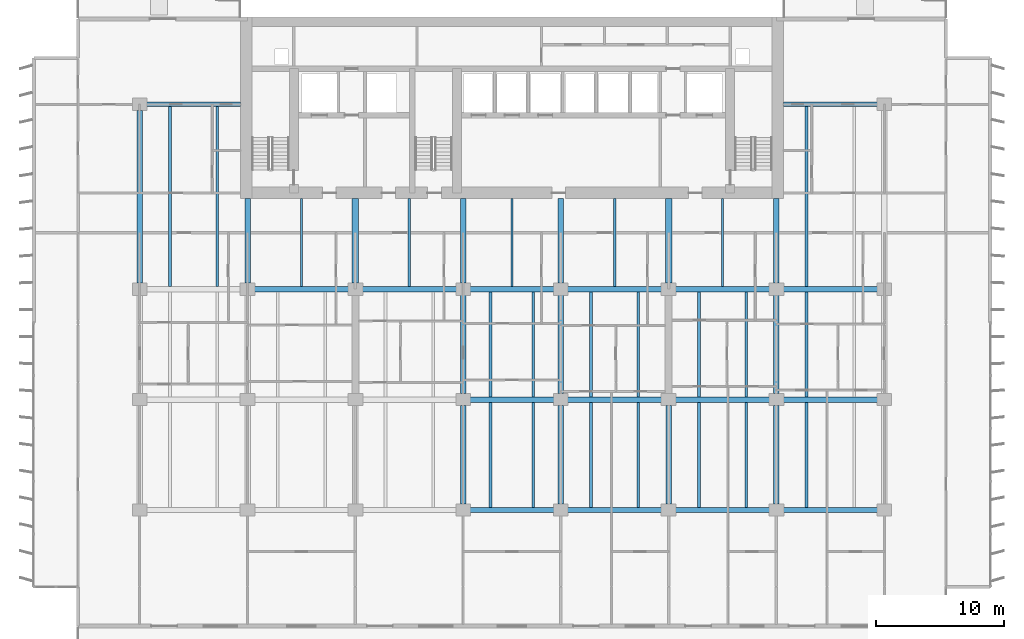
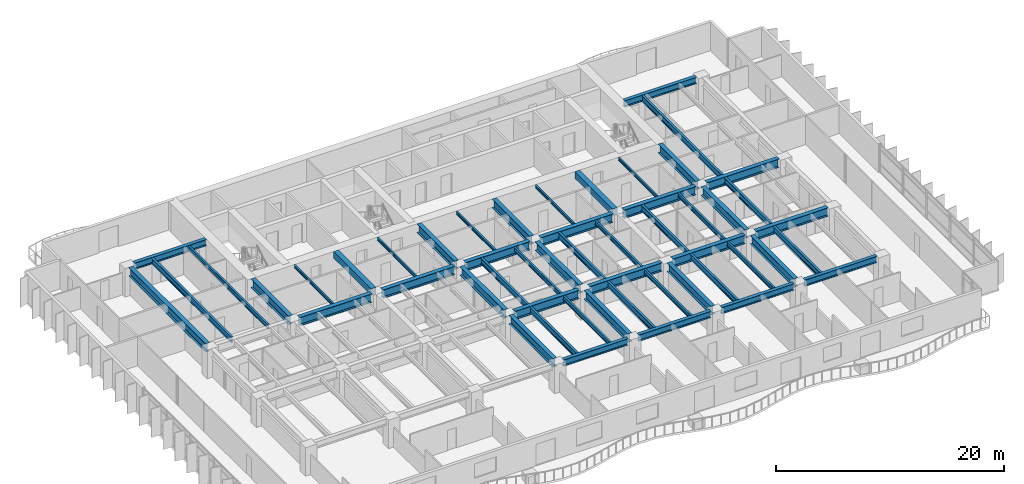
# One storey, part 3 of 18: 52 beams.
"""IFC4 building model written with IfcOpenShell, lengths in metres."""

from ifc_helpers import new_model, si_unit, direction, frame, origin, origin_2d, place, context, subcontext, project, spatial, rectangle, i_section, extrude, material, material_profile, profile_set, type_object, element, save


model = new_model("IFC4")

# Units and contexts
model_context = context("Model", 3, precision=1e-05, world=origin(), true_north=direction((0.0, 1.0)))
body_context = subcontext(model_context, "Body", "Model", "MODEL_VIEW")
ifc_project = project(units=[si_unit("LENGTHUNIT", "METRE"), si_unit("AREAUNIT", "SQUARE_METRE"), si_unit("VOLUMEUNIT", "CUBIC_METRE"), si_unit("PLANEANGLEUNIT", "RADIAN"), si_unit("MASSUNIT", "GRAM", prefix="KILO")], contexts=[model_context])

# Site, building, storey
site_placement = place(None, origin())
site = spatial("IfcSite", under=ifc_project, at=site_placement, CompositionType="ELEMENT")
building_placement = place(site_placement, origin())
building = spatial("IfcBuilding", under=site, at=building_placement, Name="Caelmar Bay Residences", CompositionType="ELEMENT")
storey_placement = place(building_placement, frame((0.0, 0.0, 56.39990234375)))
storey = spatial("IfcBuildingStorey", under=building, at=storey_placement, Name="L14", CompositionType="ELEMENT", Elevation=56.39990234375)

# Beams
ifc_material_1 = material(Name="Steel ASTM A992 Grade 50", Category="steel")
ifc_material_profile_1 = material_profile(ifc_material_1, i_section(OverallWidth=0.422119140625, OverallDepth=0.925048828125, WebThickness=0.021240234375, FlangeThickness=0.03662109375, FilletRadius=0.020263671875, at=origin_2d()), Name="W36X262")
ifc_profile_set_1 = profile_set([ifc_material_profile_1], Name="Steel ASTM A992 Grade 50")
beam_type_1 = type_object("IfcBeamType", Name="BM-GRD-W36X262", PredefinedType="BEAM", material=ifc_profile_set_1)
beam_1_placement = place(storey_placement, frame((35.639892578125, 20.800048828125, 2.587646484375), z_axis=(1.0, 0.0, 0.0), x_axis=(0.0, 1.0, 0.0)))
element("IfcBeam", 1, at=beam_1_placement, inside=storey, type_object=beam_type_1, Name="L14 East-West Girder Y=20.80 (35.1-42.7)", PredefinedType="BEAM", context=body_context, shape_type="SweptSolid", body=[
    extrude(i_section(OverallWidth=0.422119140625, OverallDepth=0.925048828125, WebThickness=0.021240234375, FlangeThickness=0.03662109375, FilletRadius=0.020263671875, at=origin_2d()), origin(), (0.0, 0.0, 1.0), 6.52001953125),
])
for number, where, z_axis, x_axis, name in (
    (2, (43.239990234375, 20.800048828125, 2.587646484375), (1.0, 0.0, 0.0), (0.0, 1.0, 0.0), "L14 East-West Girder Y=20.80 (42.7-51.1)"),
    (3, (51.639892578125, 20.800048828125, 2.587646484375), (1.0, 0.0, 0.0), (0.0, 1.0, 0.0), "L14 East-West Girder Y=20.80 (51.1-59.5)"),
    (4, (60.0400390625, 20.800048828125, 2.587646484375), (1.0, 0.0, 0.0), (0.0, 1.0, 0.0), "L14 East-West Girder Y=20.80 (59.5-67.9)"),
):
    element("IfcBeam", number, at=place(storey_placement, frame(where, z_axis=z_axis, x_axis=x_axis)), inside=storey, type_object=beam_type_1, Name=name, PredefinedType="BEAM", context=body_context, shape_type="SweptSolid", body=[
        extrude(i_section(OverallWidth=0.422119140625, OverallDepth=0.925048828125, WebThickness=0.021240234375, FlangeThickness=0.03662109375, FilletRadius=0.020263671875, at=origin_2d()), origin(), (0.0, 0.0, 1.0), 7.320068359375),
    ])
beam_2_placement = place(storey_placement, frame((18.840087890625, 29.39990234375, 2.587646484375), z_axis=(1.0, 0.0, 0.0), x_axis=(0.0, 1.0, 0.0)))
element("IfcBeam", 5, at=beam_2_placement, inside=storey, type_object=beam_type_1, Name="L14 East-West Girder Y=29.40 (18.3-26.7)", PredefinedType="BEAM", context=body_context, shape_type="SweptSolid", body=[
    extrude(i_section(OverallWidth=0.422119140625, OverallDepth=0.925048828125, WebThickness=0.021240234375, FlangeThickness=0.03662109375, FilletRadius=0.020263671875, at=origin_2d()), origin(), (0.0, 0.0, 1.0), 7.31982421875),
])
beam_3_placement = place(storey_placement, frame((27.239990234375, 29.39990234375, 2.587646484375), z_axis=(1.0, 0.0, 0.0), x_axis=(0.0, 1.0, 0.0)))
element("IfcBeam", 6, at=beam_3_placement, inside=storey, type_object=beam_type_1, Name="L14 East-West Girder Y=29.40 (26.7-35.1)", PredefinedType="BEAM", context=body_context, shape_type="SweptSolid", body=[
    extrude(i_section(OverallWidth=0.422119140625, OverallDepth=0.925048828125, WebThickness=0.021240234375, FlangeThickness=0.03662109375, FilletRadius=0.020263671875, at=origin_2d()), origin(), (0.0, 0.0, 1.0), 7.320068359375),
])
beam_4_placement = place(storey_placement, frame((35.639892578125, 29.39990234375, 2.587646484375), z_axis=(1.0, 0.0, 0.0), x_axis=(0.0, 1.0, 0.0)))
element("IfcBeam", 7, at=beam_4_placement, inside=storey, type_object=beam_type_1, Name="L14 East-West Girder Y=29.40 (35.1-42.7)", PredefinedType="BEAM", context=body_context, shape_type="SweptSolid", body=[
    extrude(i_section(OverallWidth=0.422119140625, OverallDepth=0.925048828125, WebThickness=0.021240234375, FlangeThickness=0.03662109375, FilletRadius=0.020263671875, at=origin_2d()), origin(), (0.0, 0.0, 1.0), 6.52001953125),
])
for number, where, z_axis, x_axis, name in (
    (8, (43.239990234375, 29.39990234375, 2.587646484375), (1.0, 0.0, 0.0), (0.0, 1.0, 0.0), "L14 East-West Girder Y=29.40 (42.7-51.1)"),
    (9, (51.639892578125, 29.39990234375, 2.587646484375), (1.0, 0.0, 0.0), (0.0, 1.0, 0.0), "L14 East-West Girder Y=29.40 (51.1-59.5)"),
    (10, (60.0400390625, 29.39990234375, 2.587646484375), (1.0, 0.0, 0.0), (0.0, 1.0, 0.0), "L14 East-West Girder Y=29.40 (59.5-67.9)"),
):
    element("IfcBeam", number, at=place(storey_placement, frame(where, z_axis=z_axis, x_axis=x_axis)), inside=storey, type_object=beam_type_1, Name=name, PredefinedType="BEAM", context=body_context, shape_type="SweptSolid", body=[
        extrude(i_section(OverallWidth=0.422119140625, OverallDepth=0.925048828125, WebThickness=0.021240234375, FlangeThickness=0.03662109375, FilletRadius=0.020263671875, at=origin_2d()), origin(), (0.0, 0.0, 1.0), 7.320068359375),
    ])
beam_5_placement = place(storey_placement, frame((9.89990234375, 29.864990234375, 2.587646484375), z_axis=(0.0, 1.0, 0.0), x_axis=(-1.0, 0.0, 0.0)))
element("IfcBeam", 11, at=beam_5_placement, inside=storey, type_object=beam_type_1, Name="L14 North-South Girder X=9.90 (29.4-43.8)", PredefinedType="BEAM", context=body_context, shape_type="SweptSolid", body=[
    extrude(i_section(OverallWidth=0.422119140625, OverallDepth=0.925048828125, WebThickness=0.021240234375, FlangeThickness=0.03662109375, FilletRadius=0.020263671875, at=origin_2d()), origin(), (0.0, 0.0, 1.0), 13.469970703125),
])
for number, where, z_axis, x_axis, name in (
    (12, (18.300048828125, 29.864990234375, 2.587646484375), (0.0, 1.0, 0.0), (-1.0, 0.0, 0.0), "L14 Core Tie Girder X=18.30"),
    (13, (35.10009765625, 29.864990234375, 2.587646484375), (0.0, 1.0, 0.0), (-1.0, 0.0, 0.0), "L14 Core Tie Girder X=35.10"),
):
    element("IfcBeam", number, at=place(storey_placement, frame(where, z_axis=z_axis, x_axis=x_axis)), inside=storey, type_object=beam_type_1, Name=name, PredefinedType="BEAM", context=body_context, shape_type="SweptSolid", body=[
        extrude(i_section(OverallWidth=0.422119140625, OverallDepth=0.925048828125, WebThickness=0.021240234375, FlangeThickness=0.03662109375, FilletRadius=0.020263671875, at=origin_2d()), origin(), (0.0, 0.0, 1.0), 6.5849609375),
    ])
beam_6_placement = place(storey_placement, frame((35.10009765625, 12.6650390625, 2.587646484375), z_axis=(0.0, 1.0, 0.0), x_axis=(-1.0, 0.0, 0.0)))
element("IfcBeam", 14, at=beam_6_placement, inside=storey, type_object=beam_type_1, Name="L14 North-South Girder X=35.10 (12.2-20.8)", PredefinedType="BEAM", context=body_context, shape_type="SweptSolid", body=[
    extrude(i_section(OverallWidth=0.422119140625, OverallDepth=0.925048828125, WebThickness=0.021240234375, FlangeThickness=0.03662109375, FilletRadius=0.020263671875, at=origin_2d()), origin(), (0.0, 0.0, 1.0), 7.669921875),
])
beam_7_placement = place(storey_placement, frame((35.10009765625, 21.264892578125, 2.587646484375), z_axis=(0.0, 1.0, 0.0), x_axis=(-1.0, 0.0, 0.0)))
element("IfcBeam", 15, at=beam_7_placement, inside=storey, type_object=beam_type_1, Name="L14 North-South Girder X=35.10 (20.8-29.4)", PredefinedType="BEAM", context=body_context, shape_type="SweptSolid", body=[
    extrude(i_section(OverallWidth=0.422119140625, OverallDepth=0.925048828125, WebThickness=0.021240234375, FlangeThickness=0.03662109375, FilletRadius=0.020263671875, at=origin_2d()), origin(), (0.0, 0.0, 1.0), 7.670166015625),
])
beam_8_placement = place(storey_placement, frame((42.699951171875, 29.864990234375, 2.587646484375), z_axis=(0.0, 1.0, 0.0), x_axis=(-1.0, 0.0, 0.0)))
element("IfcBeam", 16, at=beam_8_placement, inside=storey, type_object=beam_type_1, Name="L14 Core Tie Girder X=42.70", PredefinedType="BEAM", context=body_context, shape_type="SweptSolid", body=[
    extrude(i_section(OverallWidth=0.422119140625, OverallDepth=0.925048828125, WebThickness=0.021240234375, FlangeThickness=0.03662109375, FilletRadius=0.020263671875, at=origin_2d()), origin(), (0.0, 0.0, 1.0), 6.5849609375),
])
beam_9_placement = place(storey_placement, frame((42.699951171875, 12.6650390625, 2.587646484375), z_axis=(0.0, 1.0, 0.0), x_axis=(-1.0, 0.0, 0.0)))
element("IfcBeam", 17, at=beam_9_placement, inside=storey, type_object=beam_type_1, Name="L14 North-South Girder X=42.70 (12.2-20.8)", PredefinedType="BEAM", context=body_context, shape_type="SweptSolid", body=[
    extrude(i_section(OverallWidth=0.422119140625, OverallDepth=0.925048828125, WebThickness=0.021240234375, FlangeThickness=0.03662109375, FilletRadius=0.020263671875, at=origin_2d()), origin(), (0.0, 0.0, 1.0), 7.669921875),
])
beam_10_placement = place(storey_placement, frame((42.699951171875, 21.264892578125, 2.587646484375), z_axis=(0.0, 1.0, 0.0), x_axis=(-1.0, 0.0, 0.0)))
element("IfcBeam", 18, at=beam_10_placement, inside=storey, type_object=beam_type_1, Name="L14 North-South Girder X=42.70 (20.8-29.4)", PredefinedType="BEAM", context=body_context, shape_type="SweptSolid", body=[
    extrude(i_section(OverallWidth=0.422119140625, OverallDepth=0.925048828125, WebThickness=0.021240234375, FlangeThickness=0.03662109375, FilletRadius=0.020263671875, at=origin_2d()), origin(), (0.0, 0.0, 1.0), 7.670166015625),
])
beam_11_placement = place(storey_placement, frame((51.10009765625, 12.6650390625, 2.587646484375), z_axis=(0.0, 1.0, 0.0), x_axis=(-1.0, 0.0, 0.0)))
element("IfcBeam", 19, at=beam_11_placement, inside=storey, type_object=beam_type_1, Name="L14 North-South Girder X=51.10 (12.2-20.8)", PredefinedType="BEAM", context=body_context, shape_type="SweptSolid", body=[
    extrude(i_section(OverallWidth=0.422119140625, OverallDepth=0.925048828125, WebThickness=0.021240234375, FlangeThickness=0.03662109375, FilletRadius=0.020263671875, at=origin_2d()), origin(), (0.0, 0.0, 1.0), 7.669921875),
])
beam_12_placement = place(storey_placement, frame((59.5, 29.864990234375, 2.587646484375), z_axis=(0.0, 1.0, 0.0), x_axis=(-1.0, 0.0, 0.0)))
element("IfcBeam", 20, at=beam_12_placement, inside=storey, type_object=beam_type_1, Name="L14 Core Tie Girder X=59.50", PredefinedType="BEAM", context=body_context, shape_type="SweptSolid", body=[
    extrude(i_section(OverallWidth=0.422119140625, OverallDepth=0.925048828125, WebThickness=0.021240234375, FlangeThickness=0.03662109375, FilletRadius=0.020263671875, at=origin_2d()), origin(), (0.0, 0.0, 1.0), 6.5849609375),
])
beam_13_placement = place(storey_placement, frame((59.5, 12.6650390625, 2.587646484375), z_axis=(0.0, 1.0, 0.0), x_axis=(-1.0, 0.0, 0.0)))
element("IfcBeam", 21, at=beam_13_placement, inside=storey, type_object=beam_type_1, Name="L14 North-South Girder X=59.50 (12.2-20.8)", PredefinedType="BEAM", context=body_context, shape_type="SweptSolid", body=[
    extrude(i_section(OverallWidth=0.422119140625, OverallDepth=0.925048828125, WebThickness=0.021240234375, FlangeThickness=0.03662109375, FilletRadius=0.020263671875, at=origin_2d()), origin(), (0.0, 0.0, 1.0), 7.669921875),
])
beam_14_placement = place(storey_placement, frame((59.5, 21.264892578125, 2.587646484375), z_axis=(0.0, 1.0, 0.0), x_axis=(-1.0, 0.0, 0.0)))
element("IfcBeam", 22, at=beam_14_placement, inside=storey, type_object=beam_type_1, Name="L14 North-South Girder X=59.50 (20.8-29.4)", PredefinedType="BEAM", context=body_context, shape_type="SweptSolid", body=[
    extrude(i_section(OverallWidth=0.422119140625, OverallDepth=0.925048828125, WebThickness=0.021240234375, FlangeThickness=0.03662109375, FilletRadius=0.020263671875, at=origin_2d()), origin(), (0.0, 0.0, 1.0), 7.670166015625),
])
ifc_material_profile_2 = material_profile(ifc_material_1, i_section(OverallWidth=0.1650390625, OverallDepth=0.31005859375, WebThickness=0.005859375, FlangeThickness=0.009765625, FilletRadius=0.007568359375, at=origin_2d()), Name="W12X26")
ifc_profile_set_2 = profile_set([ifc_material_profile_2], Name="Steel ASTM A992 Grade 50")
beam_type_2 = type_object("IfcBeamType", Name="BM-JST-W12X26", PredefinedType="JOIST", material=ifc_profile_set_2)
for number, where, z_axis, x_axis, name in (
    (23, (22.5, 29.611083984375, 2.89501953125), (0.0, 1.0, 0.0), (-1.0, 0.0, 0.0), "L14 Core-Band Composite Joist 29"),
    (24, (30.89990234375, 29.611083984375, 2.89501953125), (0.0, 1.0, 0.0), (-1.0, 0.0, 0.0), "L14 Core-Band Composite Joist 30"),
    (25, (38.89990234375, 29.611083984375, 2.89501953125), (0.0, 1.0, 0.0), (-1.0, 0.0, 0.0), "L14 Core-Band Composite Joist 31"),
    (26, (46.89990234375, 29.611083984375, 2.89501953125), (0.0, 1.0, 0.0), (-1.0, 0.0, 0.0), "L14 Core-Band Composite Joist 32"),
    (27, (55.300048828125, 29.611083984375, 2.89501953125), (0.0, 1.0, 0.0), (-1.0, 0.0, 0.0), "L14 Core-Band Composite Joist 33"),
):
    element("IfcBeam", number, at=place(storey_placement, frame(where, z_axis=z_axis, x_axis=x_axis)), inside=storey, type_object=beam_type_2, Name=name, PredefinedType="JOIST", context=body_context, shape_type="SweptSolid", body=[
        extrude(i_section(OverallWidth=0.1650390625, OverallDepth=0.31005859375, WebThickness=0.005859375, FlangeThickness=0.009765625, FilletRadius=0.007568359375, at=origin_2d()), origin(), (0.0, 0.0, 1.0), 6.8388671875),
    ])
ifc_material_profile_3 = material_profile(ifc_material_1, i_section(OverallWidth=0.19091796875, OverallDepth=0.45703125, WebThickness=0.009033203125, FlangeThickness=0.014404296875, FilletRadius=0.01025390625, at=origin_2d()), Name="W18X50")
ifc_profile_set_3 = profile_set([ifc_material_profile_3], Name="Steel ASTM A992 Grade 50")
beam_type_3 = type_object("IfcBeamType", Name="BM-JST-W18X50", PredefinedType="JOIST", material=ifc_profile_set_3)
for number, where, z_axis, x_axis, name in (
    (28, (40.572021484375, 12.3779296875, 2.821533203125), (0.0, 1.0, 0.0), (-1.0, 0.0, 0.0), "L14 Composite Floor Joist 8"),
    (29, (48.748046875, 12.3779296875, 2.821533203125), (0.0, 1.0, 0.0), (-1.0, 0.0, 0.0), "L14 Composite Floor Joist 10"),
    (30, (57.14794921875, 12.3779296875, 2.821533203125), (0.0, 1.0, 0.0), (-1.0, 0.0, 0.0), "L14 Composite Floor Joist 12"),
):
    element("IfcBeam", number, at=place(storey_placement, frame(where, z_axis=z_axis, x_axis=x_axis)), inside=storey, type_object=beam_type_3, Name=name, PredefinedType="JOIST", context=body_context, shape_type="SweptSolid", body=[
        extrude(i_section(OverallWidth=0.19091796875, OverallDepth=0.45703125, WebThickness=0.009033203125, FlangeThickness=0.014404296875, FilletRadius=0.01025390625, at=origin_2d()), origin(), (0.0, 0.0, 1.0), 8.211181640625),
    ])
for number, where, z_axis, x_axis, name in (
    (31, (40.572021484375, 21.010986328125, 2.821533203125), (0.0, 1.0, 0.0), (-1.0, 0.0, 0.0), "L14 Composite Floor Joist 22"),
    (32, (48.748046875, 21.010986328125, 2.821533203125), (0.0, 1.0, 0.0), (-1.0, 0.0, 0.0), "L14 Composite Floor Joist 24"),
    (33, (57.14794921875, 21.010986328125, 2.821533203125), (0.0, 1.0, 0.0), (-1.0, 0.0, 0.0), "L14 Composite Floor Joist 26"),
):
    element("IfcBeam", number, at=place(storey_placement, frame(where, z_axis=z_axis, x_axis=x_axis)), inside=storey, type_object=beam_type_3, Name=name, PredefinedType="JOIST", context=body_context, shape_type="SweptSolid", body=[
        extrude(i_section(OverallWidth=0.19091796875, OverallDepth=0.45703125, WebThickness=0.009033203125, FlangeThickness=0.014404296875, FilletRadius=0.01025390625, at=origin_2d()), origin(), (0.0, 0.0, 1.0), 8.177978515625),
    ])
beam_15_placement = place(storey_placement, frame((15.947998046875, 29.611083984375, 2.821533203125), z_axis=(0.0, 1.0, 0.0), x_axis=(-1.0, 0.0, 0.0)))
element("IfcBeam", 34, at=beam_15_placement, inside=storey, type_object=beam_type_3, Name="L14 Composite Floor Joist 35", PredefinedType="JOIST", context=body_context, shape_type="SweptSolid", body=[
    extrude(i_section(OverallWidth=0.19091796875, OverallDepth=0.45703125, WebThickness=0.009033203125, FlangeThickness=0.014404296875, FilletRadius=0.01025390625, at=origin_2d()), origin(), (0.0, 0.0, 1.0), 14.010986328125),
])
ifc_material_profile_4 = material_profile(ifc_material_1, i_section(OverallWidth=0.22900390625, OverallDepth=0.612060546875, WebThickness=0.011962890625, FlangeThickness=0.01953125, FilletRadius=0.0126953125, at=origin_2d()), Name="W24X84")
ifc_profile_set_4 = profile_set([ifc_material_profile_4], Name="Steel ASTM A992 Grade 50")
beam_type_4 = type_object("IfcBeamType", Name="BM-JST-W24X84", PredefinedType="JOIST", material=ifc_profile_set_4)
for number, where, z_axis, x_axis, name in (
    (35, (37.22802734375, 12.3779296875, 2.744140625), (0.0, 1.0, 0.0), (-1.0, 0.0, 0.0), "L14 Composite Floor Joist 7"),
    (36, (45.052001953125, 12.3779296875, 2.744140625), (0.0, 1.0, 0.0), (-1.0, 0.0, 0.0), "L14 Composite Floor Joist 9"),
    (37, (53.451904296875, 12.3779296875, 2.744140625), (0.0, 1.0, 0.0), (-1.0, 0.0, 0.0), "L14 Composite Floor Joist 11"),
    (38, (61.85205078125, 12.3779296875, 2.744140625), (0.0, 1.0, 0.0), (-1.0, 0.0, 0.0), "L14 Composite Floor Joist 13"),
):
    element("IfcBeam", number, at=place(storey_placement, frame(where, z_axis=z_axis, x_axis=x_axis)), inside=storey, type_object=beam_type_4, Name=name, PredefinedType="JOIST", context=body_context, shape_type="SweptSolid", body=[
        extrude(i_section(OverallWidth=0.22900390625, OverallDepth=0.612060546875, WebThickness=0.011962890625, FlangeThickness=0.01953125, FilletRadius=0.0126953125, at=origin_2d()), origin(), (0.0, 0.0, 1.0), 8.211181640625),
    ])
for number, where, z_axis, x_axis, name in (
    (39, (37.22802734375, 21.010986328125, 2.744140625), (0.0, 1.0, 0.0), (-1.0, 0.0, 0.0), "L14 Composite Floor Joist 21"),
    (40, (45.052001953125, 21.010986328125, 2.744140625), (0.0, 1.0, 0.0), (-1.0, 0.0, 0.0), "L14 Composite Floor Joist 23"),
    (41, (53.451904296875, 21.010986328125, 2.744140625), (0.0, 1.0, 0.0), (-1.0, 0.0, 0.0), "L14 Composite Floor Joist 25"),
    (42, (61.85205078125, 21.010986328125, 2.744140625), (0.0, 1.0, 0.0), (-1.0, 0.0, 0.0), "L14 Composite Floor Joist 27"),
):
    element("IfcBeam", number, at=place(storey_placement, frame(where, z_axis=z_axis, x_axis=x_axis)), inside=storey, type_object=beam_type_4, Name=name, PredefinedType="JOIST", context=body_context, shape_type="SweptSolid", body=[
        extrude(i_section(OverallWidth=0.22900390625, OverallDepth=0.612060546875, WebThickness=0.011962890625, FlangeThickness=0.01953125, FilletRadius=0.0126953125, at=origin_2d()), origin(), (0.0, 0.0, 1.0), 8.177978515625),
    ])
for number, where, z_axis, x_axis, name in (
    (43, (12.251953125, 29.611083984375, 2.744140625), (0.0, 1.0, 0.0), (-1.0, 0.0, 0.0), "L14 Composite Floor Joist 34"),
    (44, (61.85205078125, 29.611083984375, 2.744140625), (0.0, 1.0, 0.0), (-1.0, 0.0, 0.0), "L14 Composite Floor Joist 36"),
):
    element("IfcBeam", number, at=place(storey_placement, frame(where, z_axis=z_axis, x_axis=x_axis)), inside=storey, type_object=beam_type_4, Name=name, PredefinedType="JOIST", context=body_context, shape_type="SweptSolid", body=[
        extrude(i_section(OverallWidth=0.22900390625, OverallDepth=0.612060546875, WebThickness=0.011962890625, FlangeThickness=0.01953125, FilletRadius=0.0126953125, at=origin_2d()), origin(), (0.0, 0.0, 1.0), 14.010986328125),
    ])
ifc_material_2 = material(Name="Concrete f'c 55 MPa (8,000 psi)", Category="concrete")
ifc_material_profile_5 = material_profile(ifc_material_2, rectangle(XDim=0.5, YDim=0.699951171875, at=origin_2d()), Name="RC-BM-500X700")
ifc_profile_set_5 = profile_set([ifc_material_profile_5], Name="Concrete f'c 55 MPa (8,000 psi)")
beam_type_5 = type_object("IfcBeamType", Name="BM-RC-500X700", PredefinedType="LINTEL", material=ifc_profile_set_5)
for number, where, z_axis, x_axis, name in (
    (45, (26.699951171875, 29.864990234375, 2.7001953125), (0.0, 1.0, 0.0), (-1.0, 0.0, 0.0), "L14 Shear-Wall Corridor Coupling Lintel W5"),
    (46, (51.10009765625, 29.864990234375, 2.7001953125), (0.0, 1.0, 0.0), (-1.0, 0.0, 0.0), "L14 Shear-Wall Corridor Coupling Lintel E8"),
):
    element("IfcBeam", number, at=place(storey_placement, frame(where, z_axis=z_axis, x_axis=x_axis)), inside=storey, type_object=beam_type_5, Name=name, PredefinedType="LINTEL", context=body_context, shape_type="SweptSolid", body=[
        extrude(rectangle(XDim=0.5, YDim=0.699951171875, at=origin_2d()), origin(), (0.0, 0.0, 1.0), 6.5849609375),
    ])
ifc_material_profile_6 = material_profile(ifc_material_1, i_section(OverallWidth=0.35595703125, OverallDepth=0.696044921875, WebThickness=0.015380859375, FlangeThickness=0.02490234375, FilletRadius=0.01513671875, at=origin_2d()), Name="W27X146")
ifc_profile_set_6 = profile_set([ifc_material_profile_6], Name="Steel ASTM A992 Grade 50")
beam_type_6 = type_object("IfcBeamType", Name="BM-SPN-W27X146", PredefinedType="SPANDREL", material=ifc_profile_set_6)
beam_16_placement = place(storey_placement, frame((35.639892578125, 12.199951171875, 2.7021484375), z_axis=(1.0, 0.0, 0.0), x_axis=(0.0, 1.0, 0.0)))
element("IfcBeam", 47, at=beam_16_placement, inside=storey, type_object=beam_type_6, Name="L14 East-West Girder Y=12.20 (35.1-42.7)", PredefinedType="SPANDREL", context=body_context, shape_type="SweptSolid", body=[
    extrude(i_section(OverallWidth=0.35595703125, OverallDepth=0.696044921875, WebThickness=0.015380859375, FlangeThickness=0.02490234375, FilletRadius=0.01513671875, at=origin_2d()), origin(), (0.0, 0.0, 1.0), 6.52001953125),
])
for number, where, z_axis, x_axis, name in (
    (48, (43.239990234375, 12.199951171875, 2.7021484375), (1.0, 0.0, 0.0), (0.0, 1.0, 0.0), "L14 East-West Girder Y=12.20 (42.7-51.1)"),
    (49, (51.639892578125, 12.199951171875, 2.7021484375), (1.0, 0.0, 0.0), (0.0, 1.0, 0.0), "L14 East-West Girder Y=12.20 (51.1-59.5)"),
    (50, (60.0400390625, 12.199951171875, 2.7021484375), (1.0, 0.0, 0.0), (0.0, 1.0, 0.0), "L14 East-West Girder Y=12.20 (59.5-67.9)"),
):
    element("IfcBeam", number, at=place(storey_placement, frame(where, z_axis=z_axis, x_axis=x_axis)), inside=storey, type_object=beam_type_6, Name=name, PredefinedType="SPANDREL", context=body_context, shape_type="SweptSolid", body=[
        extrude(i_section(OverallWidth=0.35595703125, OverallDepth=0.696044921875, WebThickness=0.015380859375, FlangeThickness=0.02490234375, FilletRadius=0.01513671875, at=origin_2d()), origin(), (0.0, 0.0, 1.0), 7.320068359375),
    ])
for number, where, z_axis, x_axis, name in (
    (51, (10.43994140625, 43.800048828125, 2.7021484375), (1.0, 0.0, 0.0), (0.0, 1.0, 0.0), "L14 North-West Wing Core Tie Girder"),
    (52, (60.050048828125, 43.800048828125, 2.7021484375), (1.0, 0.0, 0.0), (0.0, 1.0, 0.0), "L14 North-East Wing Core Tie Girder"),
):
    element("IfcBeam", number, at=place(storey_placement, frame(where, z_axis=z_axis, x_axis=x_axis)), inside=storey, type_object=beam_type_6, Name=name, PredefinedType="SPANDREL", context=body_context, shape_type="SweptSolid", body=[
        extrude(i_section(OverallWidth=0.35595703125, OverallDepth=0.696044921875, WebThickness=0.015380859375, FlangeThickness=0.02490234375, FilletRadius=0.01513671875, at=origin_2d()), origin(), (0.0, 0.0, 1.0), 7.31005859375),
    ])

save(model, "model.ifc")
